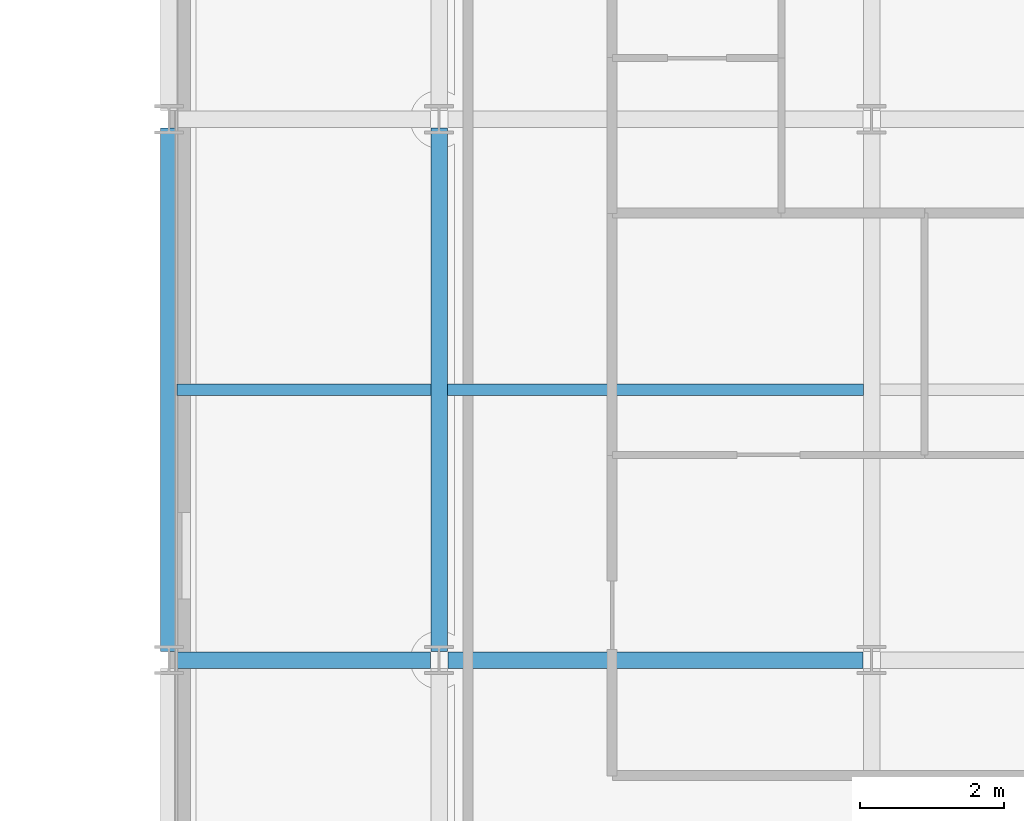
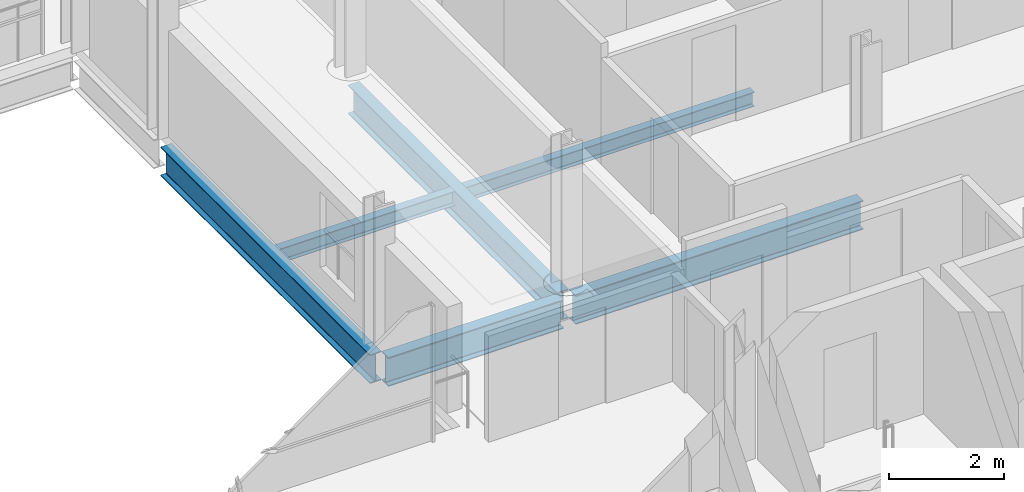
# One storey, part 18 of 41: 6 beams.
"""IFC4 building model written with IfcOpenShell, lengths in metres."""

from ifc_helpers import new_model, si_unit, direction, frame, origin, origin_2d, place, context, subcontext, project, spatial, i_section, extrude, material, material_profile, profile_set, type_object, element, save


model = new_model("IFC4")

# Units and contexts
model_context = context("Model", 3, precision=1e-05, world=origin(), true_north=direction((0.0, 1.0)))
body_context = subcontext(model_context, "Body", "Model", "MODEL_VIEW")
ifc_project = project(units=[si_unit("LENGTHUNIT", "METRE"), si_unit("AREAUNIT", "SQUARE_METRE"), si_unit("VOLUMEUNIT", "CUBIC_METRE"), si_unit("PLANEANGLEUNIT", "RADIAN"), si_unit("MASSUNIT", "GRAM", prefix="KILO")], contexts=[model_context])

# Site, building, storey
site_placement = place(None, origin())
site = spatial("IfcSite", under=ifc_project, at=site_placement, CompositionType="ELEMENT")
building_placement = place(site_placement, origin())
building = spatial("IfcBuilding", under=site, at=building_placement, Name="Brevholm Reach", CompositionType="ELEMENT")
storey_placement = place(building_placement, frame((0.0, 0.0, 163.5)))
storey = spatial("IfcBuildingStorey", under=building, at=storey_placement, Name="L49", CompositionType="ELEMENT", Elevation=163.5)

# Beams
ifc_material_1 = material(Name="Structural Steel S355J2", Category="steel")
ifc_material_profile_1 = material_profile(ifc_material_1, i_section(OverallWidth=0.1650390625, OverallDepth=0.303466796875, WebThickness=0.006103515625, FlangeThickness=0.01025390625, FilletRadius=0.0087890625, at=origin_2d()), Name="UKB 305x165x40")
ifc_profile_set_1 = profile_set([ifc_material_profile_1], Name="Structural Steel S355J2")
beam_type_1 = type_object("IfcBeamType", Name="BM-B305", PredefinedType="BEAM", material=ifc_profile_set_1)
beam_1_placement = place(storey_placement, frame((38.364501953125, 19.75, -0.37158203125), z_axis=(1.0, 0.0, 0.0), x_axis=(0.0, 1.0, 0.0)))
element("IfcBeam", 1, at=beam_1_placement, inside=storey, type_object=beam_type_1, Name="L49 Composite Secondary Floor Beam", PredefinedType="BEAM", context=body_context, shape_type="SweptSolid", body=[
    extrude(i_section(OverallWidth=0.1650390625, OverallDepth=0.303466796875, WebThickness=0.006103515625, FlangeThickness=0.01025390625, FilletRadius=0.0087890625, at=origin_2d()), origin(), (0.0, 0.0, 1.0), 3.52099609375),
])
beam_2_placement = place(storey_placement, frame((42.114501953125, 19.75, -0.37158203125), z_axis=(1.0, 0.0, 0.0), x_axis=(0.0, 1.0, 0.0)))
element("IfcBeam", 2, at=beam_2_placement, inside=storey, type_object=beam_type_1, Name="L49 Composite Secondary Floor Beam", PredefinedType="BEAM", context=body_context, shape_type="SweptSolid", body=[
    extrude(i_section(OverallWidth=0.1650390625, OverallDepth=0.303466796875, WebThickness=0.006103515625, FlangeThickness=0.01025390625, FilletRadius=0.0087890625, at=origin_2d()), origin(), (0.0, 0.0, 1.0), 5.77099609375),
])
ifc_material_2 = material(Name="Structural Steel S355J2", Category="steel")
ifc_material_profile_2 = material_profile(ifc_material_2, i_section(OverallWidth=0.22900390625, OverallDepth=0.6123046875, WebThickness=0.011962890625, FlangeThickness=0.01953125, FilletRadius=0.0126953125, at=origin_2d()), Name="UKB 610x229x125")
ifc_profile_set_2 = profile_set([ifc_material_profile_2], Name="Structural Steel S355J2")
beam_type_2 = type_object("IfcBeamType", Name="BM-SP610", PredefinedType="SPANDREL", material=ifc_profile_set_2)
beam_3_placement = place(storey_placement, frame((38.3701171875, 16.0, -0.526123046875), z_axis=(1.0, 0.0, 0.0), x_axis=(0.0, 1.0, 0.0)))
element("IfcBeam", 3, at=beam_3_placement, inside=storey, type_object=beam_type_2, Name="L49 SP-01 Framing Beam", PredefinedType="SPANDREL", context=body_context, shape_type="SweptSolid", body=[
    extrude(i_section(OverallWidth=0.22900390625, OverallDepth=0.6123046875, WebThickness=0.011962890625, FlangeThickness=0.01953125, FilletRadius=0.0126953125, at=origin_2d()), origin(), (0.0, 0.0, 1.0), 3.509765625),
])
beam_4_placement = place(storey_placement, frame((42.1201171875, 16.0, -0.526123046875), z_axis=(1.0, 0.0, 0.0), x_axis=(0.0, 1.0, 0.0)))
element("IfcBeam", 4, at=beam_4_placement, inside=storey, type_object=beam_type_2, Name="L49 SP-01 Framing Beam", PredefinedType="SPANDREL", context=body_context, shape_type="SweptSolid", body=[
    extrude(i_section(OverallWidth=0.22900390625, OverallDepth=0.6123046875, WebThickness=0.011962890625, FlangeThickness=0.01953125, FilletRadius=0.0126953125, at=origin_2d()), origin(), (0.0, 0.0, 1.0), 5.759765625),
])
for number, where, z_axis, x_axis, name in (
    (5, (38.25, 16.1201171875, -0.526123046875), (0.0, 1.0, 0.0), (-1.0, 0.0, 0.0), "L49 SP-01 Framing Beam"),
    (6, (42.0, 16.1201171875, -0.526123046875), (0.0, 1.0, 0.0), (-1.0, 0.0, 0.0), "L49 SP-01 Framing Beam"),
):
    element("IfcBeam", number, at=place(storey_placement, frame(where, z_axis=z_axis, x_axis=x_axis)), inside=storey, type_object=beam_type_2, Name=name, PredefinedType="SPANDREL", context=body_context, shape_type="SweptSolid", body=[
        extrude(i_section(OverallWidth=0.22900390625, OverallDepth=0.6123046875, WebThickness=0.011962890625, FlangeThickness=0.01953125, FilletRadius=0.0126953125, at=origin_2d()), origin(), (0.0, 0.0, 1.0), 7.259765625),
    ])

save(model, "model.ifc")
